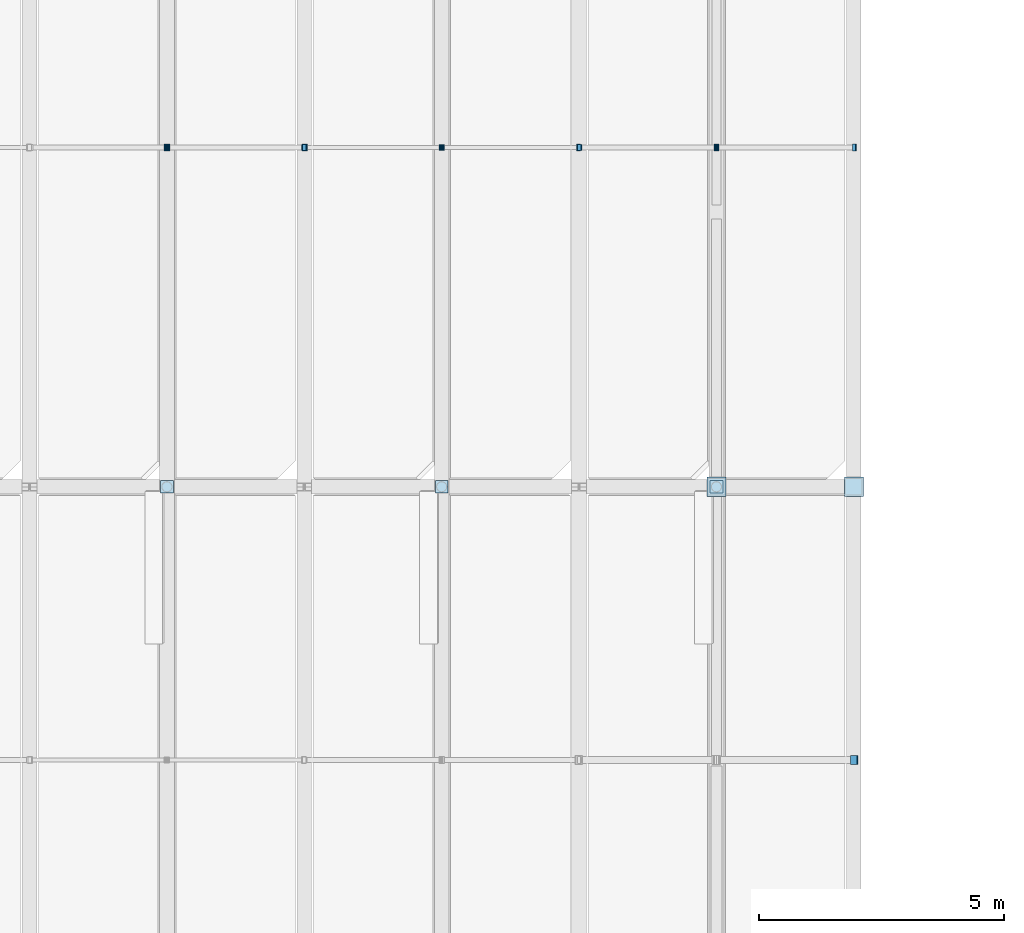
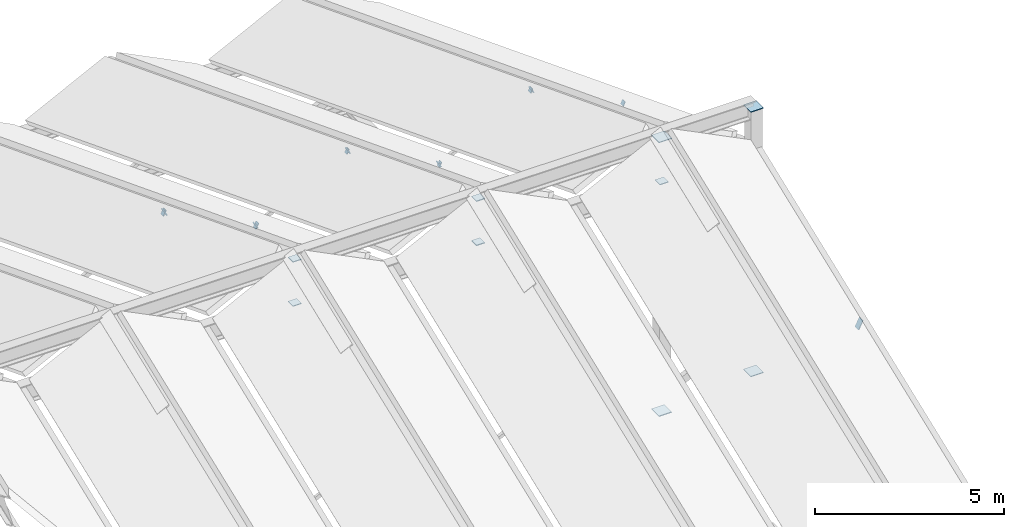
# One storey, part 34 of 49: 21 plates.
"""IFC4 building model written with IfcOpenShell, lengths in metres."""

import ifcopenshell
import ifcopenshell.guid

model = None  # the IFC model being written
_history = None  # IfcOwnerHistory: only IFC2X3 demands one
_inside = {}  # id of a spatial element -> (the spatial element, [elements in it])
_under = {}  # id of a project, library or spatial element -> (it, [spatial elements below it])
_declared = {}  # id of a project -> (the project, [libraries it declares])
_typed = {}  # id of a type object -> (the type object, [elements of that type])
_made_of = {}  # id of a material, layer set ... -> (it, [elements and type objects made of it])


def new_model(schema):
    """Start an empty IFC model of exactly this schema.

    Asked for "IFC4X3", IfcOpenShell would pick the latest addendum, in which some entities
    have other attributes; the version numbers below select the first issue.
    IFC2X3 requires an IfcOwnerHistory on every rooted entity: one is made here for all.
    """
    global model, _history
    if schema == "IFC4X3":
        model = ifcopenshell.file(schema_version=(4, 3, 0, 0))
    else:
        model = ifcopenshell.file(schema=schema)
    _inside.clear()
    _under.clear()
    _declared.clear()
    _typed.clear()
    _made_of.clear()
    _history = None
    if model.schema == "IFC2X3":
        org = make("IfcOrganization", Name="unknown")
        user = make(
            "IfcPersonAndOrganization",
            ThePerson=make("IfcPerson", FamilyName="unknown"),
            TheOrganization=org,
        )
        app = make(
            "IfcApplication",
            ApplicationDeveloper=org,
            Version="unknown",
            ApplicationFullName="unknown",
            ApplicationIdentifier="unknown",
        )
        _history = make(
            "IfcOwnerHistory",
            OwningUser=user,
            OwningApplication=app,
            ChangeAction="ADDED",
            CreationDate=0,
        )
    return model


def make(cls, **values):
    """One entity of the class cls with the attributes given. An attribute that is None is left unset."""
    return model.create_entity(
        cls, **{name: value for name, value in values.items() if value is not None}
    )


def rooted(cls, **values):
    """An entity with a GlobalId (a new one), such as an element, a storey or a relation."""
    return make(cls, GlobalId=ifcopenshell.guid.new(), OwnerHistory=_history, **values)


def si_unit(unit_type, name, prefix=None):
    """IfcSIUnit, for example si_unit("LENGTHUNIT", "METRE", prefix="MILLI")."""
    return make("IfcSIUnit", UnitType=unit_type, Prefix=prefix, Name=name)


def assignment(units):
    """IfcUnitAssignment: the units of a project."""
    return None if units is None else make("IfcUnitAssignment", Units=units)


def point(xyz):
    """IfcCartesianPoint."""
    return None if xyz is None else make("IfcCartesianPoint", Coordinates=xyz)


def direction(xyz):
    """IfcDirection."""
    return None if xyz is None else make("IfcDirection", DirectionRatios=xyz)


def frame(location, z_axis=None, x_axis=None):
    """IfcAxis2Placement3D, a coordinate frame: its origin and axes. An axis left out is left unset."""
    return make(
        "IfcAxis2Placement3D",
        Location=point(location),
        Axis=direction(z_axis),
        RefDirection=direction(x_axis),
    )


def frame_2d(location, x_axis=None):
    """IfcAxis2Placement2D, a coordinate frame in the plane: its origin and x axis."""
    return make(
        "IfcAxis2Placement2D", Location=point(location), RefDirection=direction(x_axis)
    )


def origin():
    """The frame at (0, 0, 0) with its axes left unset."""
    return frame((0.0, 0.0, 0.0))


def origin_2d():
    """The frame at (0, 0) in the plane with its x axis left unset."""
    return frame_2d((0.0, 0.0))


def place(relative_to, where):
    """IfcLocalPlacement: puts the frame where relative to a parent placement (None: the world)."""
    return make(
        "IfcLocalPlacement", PlacementRelTo=relative_to, RelativePlacement=where
    )


def context(
    kind, dimensions, precision=None, world=None, true_north=None, identifier=None
):
    """IfcGeometricRepresentationContext, for example the 3D "Model" context."""
    return make(
        "IfcGeometricRepresentationContext",
        ContextIdentifier=identifier,
        ContextType=kind,
        CoordinateSpaceDimension=dimensions,
        Precision=precision,
        WorldCoordinateSystem=world,
        TrueNorth=true_north,
    )


def subcontext(parent, identifier, kind, view, scale=None):
    """IfcGeometricRepresentationSubContext, for example "Body" below "Model"."""
    return make(
        "IfcGeometricRepresentationSubContext",
        ContextIdentifier=identifier,
        ContextType=kind,
        ParentContext=parent,
        TargetScale=scale,
        TargetView=view,
    )


def project(units=None, contexts=None):
    """IfcProject with its units and contexts."""
    return rooted(
        "IfcProject",
        Name="project",
        RepresentationContexts=contexts,
        UnitsInContext=assignment(units),
    )


def spatial(cls, under=None, at=None, **own):
    """A site, building, storey or space (cls), placed at a placement, below another one or the project."""
    s = rooted(cls, ObjectPlacement=at, **own)
    if under is not None:
        _under.setdefault(under.id(), (under, []))[1].append(s)
    return s


def profile(cls, at=None, kind="AREA", **sizes):
    """A parametric profile (cls). Its sizes go by their IFC names, for example OverallWidth=200.0."""
    return make(cls, ProfileType=kind, Position=at, **sizes)


def rectangle(**sizes):
    """IfcRectangleProfileDef."""
    return profile("IfcRectangleProfileDef", **sizes)


def extrude(swept, where, along, depth):
    """IfcExtrudedAreaSolid: the profile swept, set in the frame where, extruded along a direction by depth."""
    return make(
        "IfcExtrudedAreaSolid",
        SweptArea=swept,
        Position=where,
        ExtrudedDirection=direction(along),
        Depth=depth,
    )


def shape(context_of_items, identifier, shape_type, items):
    """IfcShapeRepresentation: the items that make up one representation, for example the "Body"."""
    return make(
        "IfcShapeRepresentation",
        ContextOfItems=context_of_items,
        RepresentationIdentifier=identifier,
        RepresentationType=shape_type,
        Items=items,
    )


def material(Name=None, Category=None):
    """IfcMaterial."""
    return make("IfcMaterial", Name=Name, Category=Category)


def material_profile(
    of_material, cross_section, Name=None, Category=None, Priority=None
):
    """IfcMaterialProfile: a cross section and its material."""
    return make(
        "IfcMaterialProfile",
        Name=Name,
        Material=of_material,
        Profile=cross_section,
        Priority=Priority,
        Category=Category,
    )


def profile_set(profiles, Name=None, composite=None):
    """IfcMaterialProfileSet."""
    return make(
        "IfcMaterialProfileSet",
        Name=Name,
        MaterialProfiles=profiles,
        CompositeProfile=composite,
    )


def made_of(thing, what):
    """Note that an element or type object is made of a material, layer set ...; save() writes the relation."""
    if what is not None:
        _made_of.setdefault(what.id(), (what, []))[1].append(thing)
    return thing


def type_object(cls, material=None, **own):
    """A type object (cls), such as IfcWallType, which elements share."""
    return made_of(rooted(cls, **own), material)


def element(
    cls,
    number,
    at=None,
    inside=None,
    cuts=None,
    type_object=None,
    material=None,
    context=None,
    identifier="Body",
    shape_type=None,
    held_by="IfcProductDefinitionShape",
    body=None,
    shapes=None,
    **own,
):
    """One element of the class cls, such as IfcWall. Its Tag is "e" and its number.

    at: its placement. inside: the storey or other place that contains it. cuts: it is an
    opening in that element (IfcRelVoidsElement). A single representation is given by context,
    identifier, shape_type and body (its items); several are given by shapes. held_by: the class
    of the entity that holds the representations. save() writes the other relations.
    """
    e = rooted(cls, Tag="e%d" % number, ObjectPlacement=at, **own)
    if body is not None:
        shapes = [shape(context, identifier, shape_type, body)]
    if shapes is not None:
        e.Representation = make(held_by, Representations=shapes)
    if inside is not None:
        _inside.setdefault(inside.id(), (inside, []))[1].append(e)
    if cuts is not None:
        rooted(
            "IfcRelVoidsElement", RelatingBuildingElement=cuts, RelatedOpeningElement=e
        )
    if type_object is not None:
        _typed.setdefault(type_object.id(), (type_object, []))[1].append(e)
    return made_of(e, material)


def aggregate(whole, parts):
    """IfcRelAggregates: a whole, such as a stair, and the parts it consists of."""
    return rooted("IfcRelAggregates", RelatingObject=whole, RelatedObjects=parts)


def save(model, path):
    """Write the relations noted so far, then the file.

    IfcRelAggregates (storeys below a building ...), IfcRelContainedInSpatialStructure (elements
    in a storey), IfcRelDefinesByType, IfcRelAssociatesMaterial and IfcRelDeclares: one each for
    every whole, place, type object, material and project.
    """
    for whole, parts in _under.values():
        aggregate(whole, parts)
    for where, things in _inside.values():
        rooted(
            "IfcRelContainedInSpatialStructure",
            RelatedElements=things,
            RelatingStructure=where,
        )
    for kind, things in _typed.values():
        rooted("IfcRelDefinesByType", RelatedObjects=things, RelatingType=kind)
    for what, things in _made_of.values():
        rooted("IfcRelAssociatesMaterial", RelatedObjects=things, RelatingMaterial=what)
    for by, libraries in _declared.values():
        rooted("IfcRelDeclares", RelatingContext=by, RelatedDefinitions=libraries)
    model.write(path)


model = new_model("IFC4")

# Units and contexts
model_context = context("Model", 3, precision=1e-05, world=origin(), true_north=direction((0.0, 1.0)))
body_context = subcontext(model_context, "Body", "Model", "MODEL_VIEW")
ifc_project = project(units=[si_unit("LENGTHUNIT", "METRE"), si_unit("AREAUNIT", "SQUARE_METRE"), si_unit("VOLUMEUNIT", "CUBIC_METRE"), si_unit("PLANEANGLEUNIT", "RADIAN"), si_unit("MASSUNIT", "GRAM", prefix="KILO")], contexts=[model_context])

# Site, building, storey
site_placement = place(None, origin())
site = spatial("IfcSite", under=ifc_project, at=site_placement, CompositionType="ELEMENT")
building_placement = place(site_placement, origin())
building = spatial("IfcBuilding", under=site, at=building_placement, Name="Vinh Khe Railworks Police Headquarters", CompositionType="ELEMENT")
storey_placement = place(building_placement, frame((0.0, 0.0, 17.10009765625)))
storey = spatial("IfcBuildingStorey", under=building, at=storey_placement, Name="L04", CompositionType="ELEMENT", Elevation=17.10009765625)

# Plates
ifc_material = material(Name="Steel S355JR", Category="steel")
ifc_material_profile_1 = material_profile(ifc_material, rectangle(XDim=0.1201171875, YDim=0.159912109375, at=origin_2d()), Name="PL 120x160")
ifc_profile_set_1 = profile_set([ifc_material_profile_1], Name="Steel S355JR")
plate_type_1 = type_object("IfcPlateType", Name="Steel End-Cap Plate 120x160x24", PredefinedType="SHEET", material=ifc_profile_set_1)
for number, where, z_axis, x_axis, name in (
    (1, (51.60009765625, 48.9140625, 4.73779296875), (-0.894427191, 0.0, -0.4472135955), (0.0, -1.0, 0.0), "End-Cap Gusset Plate PLT-EP-0516"),
    (2, (54.39990234375, 48.9140625, 6.1376953125), (-0.894427191, 0.0, 0.4472135955), (0.0, -1.0, 0.0), "End-Cap Gusset Plate PLT-EP-0536"),
    (3, (54.39990234375, 48.9140625, 6.1376953125), (0.894427191, 0.0, 0.4472135955), (0.0, 1.0, 0.0), "End-Cap Gusset Plate PLT-EP-0537"),
    (4, (57.199951171875, 48.9140625, 4.73779296875), (0.894427191, 0.0, -0.4472135955), (0.0, 1.0, 0.0), "End-Cap Gusset Plate PLT-EP-0547"),
):
    element("IfcPlate", number, at=place(storey_placement, frame(where, z_axis=z_axis, x_axis=x_axis)), inside=storey, type_object=plate_type_1, Name=name, PredefinedType="SHEET", context=body_context, shape_type="SweptSolid", body=[
        extrude(rectangle(XDim=0.1201171875, YDim=0.159912109375, at=origin_2d()), origin(), (0.0, 0.0, 1.0), 0.02392578125),
    ])
ifc_material_profile_2 = material_profile(ifc_material, rectangle(XDim=0.139892578125, YDim=0.139892578125, at=origin_2d()), Name="PL 140x140")
ifc_profile_set_2 = profile_set([ifc_material_profile_2], Name="Steel S355JR")
plate_type_2 = type_object("IfcPlateType", Name="Steel End-Cap Plate 140x140x24", PredefinedType="SHEET", material=ifc_profile_set_2)
for number, where, z_axis, x_axis, name in (
    (5, (57.199951171875, 48.9140625, 4.747802734375), (-0.894427191, 0.0, -0.4472135955), (0.0, -1.0, 0.0), "End-Cap Gusset Plate PLT-EP-0546"),
    (6, (60.0, 48.9140625, 6.147705078125), (-0.894427191, 0.0, 0.4472135955), (0.0, -1.0, 0.0), "End-Cap Gusset Plate PLT-EP-0567"),
    (7, (60.0, 48.9140625, 6.147705078125), (0.894427191, 0.0, 0.4472135955), (0.0, 1.0, 0.0), "End-Cap Gusset Plate PLT-EP-0568"),
    (8, (62.800048828125, 48.9140625, 4.747802734375), (0.894427191, 0.0, -0.4472135955), (0.0, 1.0, 0.0), "End-Cap Gusset Plate PLT-EP-0633"),
):
    element("IfcPlate", number, at=place(storey_placement, frame(where, z_axis=z_axis, x_axis=x_axis)), inside=storey, type_object=plate_type_2, Name=name, PredefinedType="SHEET", context=body_context, shape_type="SweptSolid", body=[
        extrude(rectangle(XDim=0.139892578125, YDim=0.139892578125, at=origin_2d()), origin(), (0.0, 0.0, 1.0), 0.02392578125),
    ])
ifc_material_profile_3 = material_profile(ifc_material, rectangle(XDim=0.139892578125, YDim=0.18994140625, at=origin_2d()), Name="PL 140x190")
ifc_profile_set_3 = profile_set([ifc_material_profile_3], Name="Steel S355JR")
plate_type_3 = type_object("IfcPlateType", Name="Steel End-Cap Plate 140x190x24", PredefinedType="SHEET", material=ifc_profile_set_3)
for number, where, z_axis, x_axis, name in (
    (9, (48.800048828125, 48.9140625, 6.122802734375), (-0.894427191, 0.0, 0.4472135955), (0.0, -1.0, 0.0), "End-Cap Gusset Plate PLT-EP-0474"),
    (10, (48.800048828125, 48.9140625, 6.122802734375), (0.894427191, 0.0, 0.4472135955), (0.0, 1.0, 0.0), "End-Cap Gusset Plate PLT-EP-0475"),
    (11, (51.60009765625, 48.9140625, 4.722900390625), (0.894427191, 0.0, -0.4472135955), (0.0, 1.0, 0.0), "End-Cap Gusset Plate PLT-EP-0517"),
):
    element("IfcPlate", number, at=place(storey_placement, frame(where, z_axis=z_axis, x_axis=x_axis)), inside=storey, type_object=plate_type_3, Name=name, PredefinedType="SHEET", context=body_context, shape_type="SweptSolid", body=[
        extrude(rectangle(XDim=0.139892578125, YDim=0.18994140625, at=origin_2d()), origin(), (0.0, 0.0, 1.0), 0.02392578125),
    ])
ifc_material_profile_4 = material_profile(ifc_material, rectangle(XDim=0.18994140625, YDim=0.2900390625, at=origin_2d()), Name="PL 190x290")
ifc_profile_set_4 = profile_set([ifc_material_profile_4], Name="Steel S355JR")
plate_type_4 = type_object("IfcPlateType", Name="Steel End-Cap Plate 190x290x24", PredefinedType="SHEET", material=ifc_profile_set_4)
plate_1_placement = place(storey_placement, frame((62.800048828125, 36.432861328125, 5.195068359375), z_axis=(0.894427191, 0.0, -0.4472135955), x_axis=(0.0, 1.0, 0.0)))
element("IfcPlate", 12, at=plate_1_placement, inside=storey, type_object=plate_type_4, Name="End-Cap Gusset Plate PLT-EP-0614", PredefinedType="SHEET", context=body_context, shape_type="SweptSolid", body=[
    extrude(rectangle(XDim=0.18994140625, YDim=0.2900390625, at=origin_2d()), origin(), (0.0, 0.0, 1.0), 0.02392578125),
])
ifc_material_profile_5 = material_profile(ifc_material, rectangle(XDim=0.259033203125, YDim=0.259033203125, at=origin_2d()), Name="PL 259x259")
ifc_profile_set_5 = profile_set([ifc_material_profile_5], Name="Steel S355JR")
plate_type_5 = type_object("IfcPlateType", Name="Steel End-Cap Plate 259x259x24", PredefinedType="SHEET", material=ifc_profile_set_5)
for number, where, z_axis, x_axis, name in (
    (13, (48.800048828125, 42.0, 7.40869140625), (0.0, 0.0, -1.0), (1.0, 0.0, 0.0), "End-Cap Gusset Plate PLT-EP-0472"),
    (14, (48.800048828125, 42.0, 8.808837890625), (0.0, 0.0, 1.0), (1.0, 0.0, 0.0), "End-Cap Gusset Plate PLT-EP-0473"),
    (15, (54.39990234375, 42.0, 7.40869140625), (0.0, 0.0, -1.0), (1.0, 0.0, 0.0), "End-Cap Gusset Plate PLT-EP-0534"),
    (16, (54.39990234375, 42.0, 8.808837890625), (0.0, 0.0, 1.0), (1.0, 0.0, 0.0), "End-Cap Gusset Plate PLT-EP-0535"),
    (17, (60.0, 42.0, 7.40869140625), (0.0, 0.0, -1.0), (1.0, 0.0, 0.0), "End-Cap Gusset Plate PLT-EP-0565"),
):
    element("IfcPlate", number, at=place(storey_placement, frame(where, z_axis=z_axis, x_axis=x_axis)), inside=storey, type_object=plate_type_5, Name=name, PredefinedType="SHEET", context=body_context, shape_type="SweptSolid", body=[
        extrude(rectangle(XDim=0.259033203125, YDim=0.259033203125, at=origin_2d()), origin(), (0.0, 0.0, 1.0), 0.02392578125),
    ])
ifc_material_profile_6 = material_profile(ifc_material, rectangle(XDim=0.389892578125, YDim=0.389892578125, at=origin_2d()), Name="PL 390x390")
ifc_profile_set_6 = profile_set([ifc_material_profile_6], Name="Steel S355JR")
plate_type_6 = type_object("IfcPlateType", Name="Steel End-Cap Plate 390x390x24", PredefinedType="SHEET", material=ifc_profile_set_6)
plate_2_placement = place(storey_placement, frame((60.0, 42.0, 0.0), z_axis=(0.0, 0.0, -1.0), x_axis=(1.0, 0.0, 0.0)))
element("IfcPlate", 18, at=plate_2_placement, inside=storey, type_object=plate_type_6, Name="End-Cap Gusset Plate PLT-EP-0564", PredefinedType="SHEET", context=body_context, shape_type="SweptSolid", body=[
    extrude(rectangle(XDim=0.389892578125, YDim=0.389892578125, at=origin_2d()), origin(), (0.0, 0.0, 1.0), 0.024169921875),
])
for number, where, z_axis, x_axis, name in (
    (19, (60.0, 42.0, 8.808837890625), (0.0, 0.0, 1.0), (1.0, 0.0, 0.0), "End-Cap Gusset Plate PLT-EP-0566"),
    (20, (62.800048828125, 42.0, 0.2998046875), (0.0, 0.0, -1.0), (1.0, 0.0, 0.0), "End-Cap Gusset Plate PLT-EP-0622"),
    (21, (62.800048828125, 42.0, 8.808837890625), (0.0, 0.0, 1.0), (1.0, 0.0, 0.0), "End-Cap Gusset Plate PLT-EP-0624"),
):
    element("IfcPlate", number, at=place(storey_placement, frame(where, z_axis=z_axis, x_axis=x_axis)), inside=storey, type_object=plate_type_6, Name=name, PredefinedType="SHEET", context=body_context, shape_type="SweptSolid", body=[
        extrude(rectangle(XDim=0.389892578125, YDim=0.389892578125, at=origin_2d()), origin(), (0.0, 0.0, 1.0), 0.02392578125),
    ])

save(model, "model.ifc")
